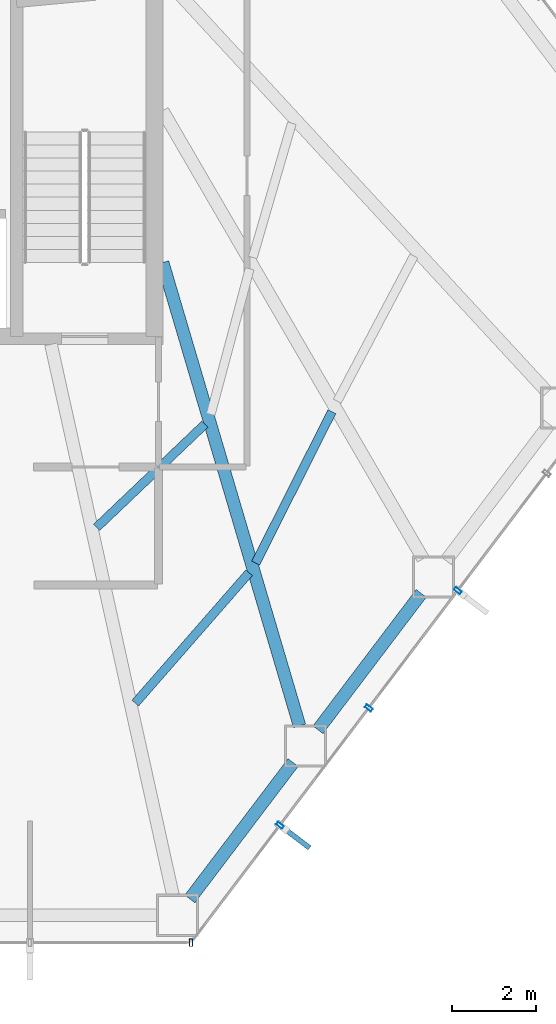
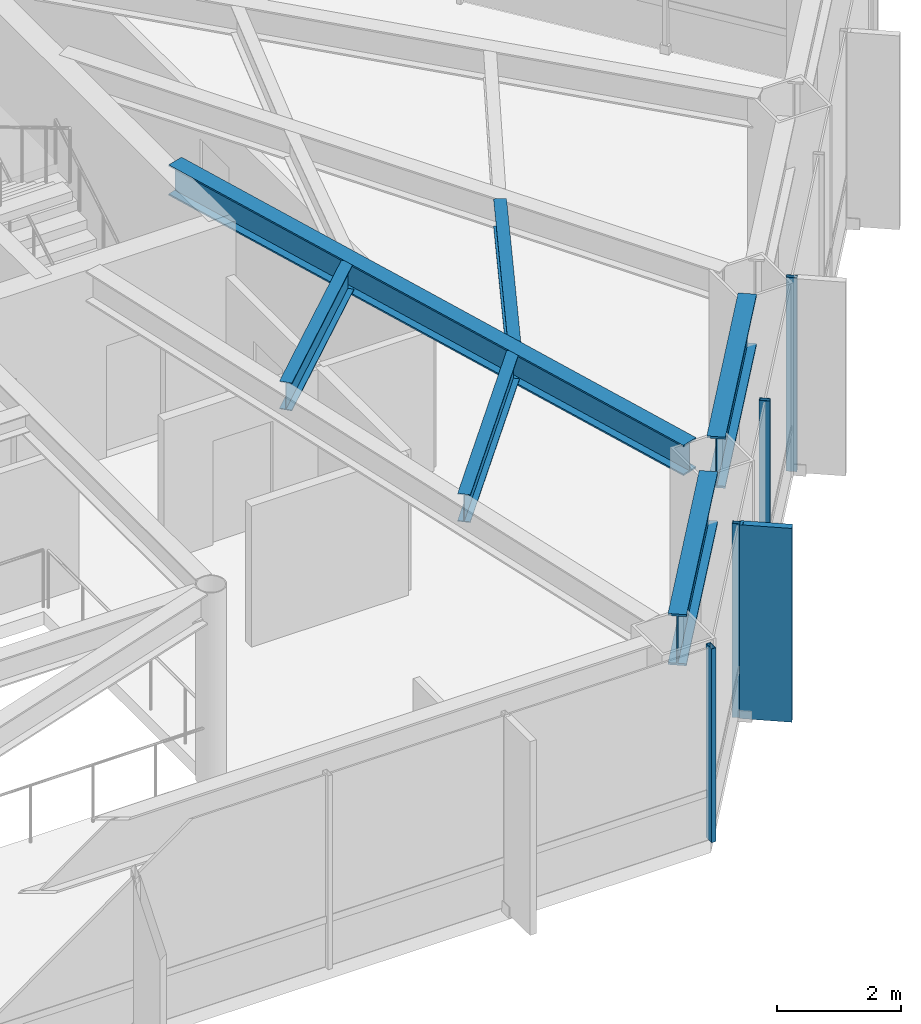
# One storey, part 16 of 25: 6 beams, 5 members, 2 elements without a shape of their own.
"""IFC4 building model written with IfcOpenShell, lengths in metres."""

from ifc_helpers import new_model, si_unit, direction, frame, origin, origin_2d, place, context, subcontext, project, spatial, rectangle, hollow_rectangle, i_section, extrude, material, layer, layer_set, material_profile, profile_set, type_object, element, aggregate, save


model = new_model("IFC4")

# Units and contexts
model_context = context("Model", 3, precision=1e-05, world=origin(), true_north=direction((0.0, 1.0)))
body_context = subcontext(model_context, "Body", "Model", "MODEL_VIEW")
ifc_project = project(units=[si_unit("LENGTHUNIT", "METRE"), si_unit("AREAUNIT", "SQUARE_METRE"), si_unit("VOLUMEUNIT", "CUBIC_METRE"), si_unit("PLANEANGLEUNIT", "RADIAN"), si_unit("MASSUNIT", "GRAM", prefix="KILO")], contexts=[model_context])

# Site, building, storey
site_placement = place(None, origin())
site = spatial("IfcSite", under=ifc_project, at=site_placement, CompositionType="ELEMENT")
building_placement = place(site_placement, origin())
building = spatial("IfcBuilding", under=site, at=building_placement, Name="Zarrinselat Tower", CompositionType="ELEMENT")
storey_placement = place(building_placement, frame((0.0, 0.0, 56.10009765625)))
storey = spatial("IfcBuildingStorey", under=building, at=storey_placement, Name="L13", CompositionType="ELEMENT", Elevation=56.10009765625)

# Beams
ifc_material_1 = material(Name="Steel S355J2", Category="steel")
ifc_material_profile_1 = material_profile(ifc_material_1, i_section(OverallWidth=0.300048828125, OverallDepth=0.60009765625, WebThickness=0.015380859375, FlangeThickness=0.030029296875, at=origin_2d()), Name="HEB 600")
ifc_profile_set_1 = profile_set([ifc_material_profile_1], Name="Steel S355J2")
beam_type_1 = type_object("IfcBeamType", Name="BM-HEB600", PredefinedType="BEAM", material=ifc_profile_set_1)
beam_1_placement = place(storey_placement, frame((48.449951171875, 35.0, 3.52001953125), z_axis=(0.283345695838, -0.959017839589, 0.0), x_axis=(0.959017839589, 0.283345695838, 0.0)))
element("IfcBeam", 1, at=beam_1_placement, inside=storey, type_object=beam_type_1, Name="L13 Radial Primary Girder RG12", PredefinedType="BEAM", context=body_context, shape_type="SweptSolid", body=[
    extrude(i_section(OverallWidth=0.300048828125, OverallDepth=0.60009765625, WebThickness=0.015380859375, FlangeThickness=0.030029296875, at=origin_2d()), origin(), (0.0, 0.0, 1.0), 11.463134765625),
])
ifc_material_2 = material(Name="Steel S460M", Category="steel")
ifc_material_profile_2 = material_profile(ifc_material_2, i_section(OverallWidth=0.302001953125, OverallDepth=1.008056640625, WebThickness=0.02099609375, FlangeThickness=0.0400390625, at=origin_2d()), Name="HEM 1000")
ifc_profile_set_2 = profile_set([ifc_material_profile_2], Name="Steel S460M")
beam_type_2 = type_object("IfcBeamType", Name="BM-HEM1000", PredefinedType="BEAM", material=ifc_profile_set_2)
beam_2_placement = place(storey_placement, frame((49.09423828125, 19.900634765625, 3.31591796875), z_axis=(0.603851898096, 0.797096534409, 0.0), x_axis=(-0.797096534409, 0.603851898096, 0.0)))
element("IfcBeam", 2, at=beam_2_placement, inside=storey, type_object=beam_type_2, Name="L13 Perimeter Spandrel Girder SP11", PredefinedType="BEAM", context=body_context, shape_type="SweptSolid", body=[
    extrude(i_section(OverallWidth=0.302001953125, OverallDepth=1.008056640625, WebThickness=0.02099609375, FlangeThickness=0.0400390625, at=origin_2d()), origin(), (0.0, 0.0, 1.0), 4.059326171875),
])
beam_3_placement = place(storey_placement, frame((52.135009765625, 23.914306640625, 3.31591796875), z_axis=(0.60381368236, 0.797125483845, 0.0), x_axis=(-0.797125483845, 0.60381368236, 0.0)))
element("IfcBeam", 3, at=beam_3_placement, inside=storey, type_object=beam_type_2, Name="L13 Perimeter Spandrel Girder SP12", PredefinedType="BEAM", context=body_context, shape_type="SweptSolid", body=[
    extrude(i_section(OverallWidth=0.302001953125, OverallDepth=1.008056640625, WebThickness=0.02099609375, FlangeThickness=0.0400390625, at=origin_2d()), origin(), (0.0, 0.0, 1.0), 4.05908203125),
])
ifc_material_3 = material(Name="Steel S355J2", Category="steel")
ifc_material_profile_3 = material_profile(ifc_material_3, i_section(OverallWidth=0.2099609375, OverallDepth=0.550048828125, WebThickness=0.010986328125, FlangeThickness=0.01708984375, at=origin_2d()), Name="IPE 550")
ifc_profile_set_3 = profile_set([ifc_material_profile_3], Name="Steel S355J2")
beam_type_3 = type_object("IfcBeamType", Name="BM-IPE550", PredefinedType="JOIST", material=ifc_profile_set_3)
beam_4_placement = place(storey_placement, frame((47.80029296875, 24.547119140625, 3.544921875), z_axis=(0.657965582387, 0.753048001388, 0.0), x_axis=(-0.753048001388, 0.657965582387, 0.0)))
element("IfcBeam", 4, at=beam_4_placement, inside=storey, type_object=beam_type_3, Name="L13 Composite Floor Joist 3-1", PredefinedType="JOIST", context=body_context, shape_type="SweptSolid", body=[
    extrude(i_section(OverallWidth=0.2099609375, OverallDepth=0.550048828125, WebThickness=0.010986328125, FlangeThickness=0.01708984375, at=origin_2d()), origin(), (0.0, 0.0, 1.0), 4.105712890625),
])
beam_5_placement = place(storey_placement, frame((46.88427734375, 28.716796875, 3.544921875), z_axis=(0.723794274198, 0.690015832165, 0.0), x_axis=(-0.690015832165, 0.723794274198, 0.0)))
element("IfcBeam", 5, at=beam_5_placement, inside=storey, type_object=beam_type_3, Name="L13 Composite Floor Joist 3-2", PredefinedType="JOIST", context=body_context, shape_type="SweptSolid", body=[
    extrude(i_section(OverallWidth=0.2099609375, OverallDepth=0.550048828125, WebThickness=0.010986328125, FlangeThickness=0.01708984375, at=origin_2d()), origin(), (0.0, 0.0, 1.0), 3.548828125),
])
beam_6_placement = place(storey_placement, frame((50.656494140625, 27.869384765625, 3.544921875), z_axis=(0.449713289447, 0.893172971655, 0.0), x_axis=(-0.893172971655, 0.449713289447, 0.0)))
element("IfcBeam", 6, at=beam_6_placement, inside=storey, type_object=beam_type_3, Name="L13 Composite Floor Joist 4-1", PredefinedType="JOIST", context=body_context, shape_type="SweptSolid", body=[
    extrude(i_section(OverallWidth=0.2099609375, OverallDepth=0.550048828125, WebThickness=0.010986328125, FlangeThickness=0.01708984375, at=origin_2d()), origin(), (0.0, 0.0, 1.0), 4.02099609375),
])

# Curtain wall, member
ifc_material_4 = material(Name="Extruded Aluminium Alloy EN AW-6063 T6", Category="aluminium")
ifc_layer = layer(ifc_material_4, 0.18505859375)
ifc_layer_set = layer_set([ifc_layer], Name="Extruded Aluminium Alloy EN AW-6063 T6")
curtain_wall_type = type_object("IfcCurtainWallType", Name="CWS-OFF", PredefinedType="NOTDEFINED", material=ifc_layer_set)
curtain_wall_1_placement = place(storey_placement, origin())
curtain_wall_1 = element("IfcCurtainWall", 7, at=curtain_wall_1_placement, inside=storey, type_object=curtain_wall_type, Name="L13 Unitised Curtain Wall CW-L13-E04", PredefinedType="NOTDEFINED")
ifc_material_5 = material(Name="Extruded Aluminium Alloy EN AW-6063 T6", Category="aluminium")
ifc_material_profile_4 = material_profile(ifc_material_5, hollow_rectangle(XDim=0.080078125, YDim=0.179931640625, WallThickness=0.0048828125, at=origin_2d()), Name="RHS 180x80x5")
ifc_profile_set_4 = profile_set([ifc_material_profile_4], Name="Extruded Aluminium Alloy EN AW-6063 T6")
member_type_1 = type_object("IfcMemberType", Name="MEM-CW-MUL", PredefinedType="MULLION", material=ifc_profile_set_4)
member_1_placement = place(storey_placement, frame((49.12255859375, 18.86181640625, 0.0), z_axis=(0.0, 0.0, 1.0), x_axis=(1.0, 0.0, 0.0)))
member_1 = element("IfcMember", 8, at=member_1_placement, type_object=member_type_1, Name="CW-L13-E04 Mullion 6", PredefinedType="MULLION", context=body_context, shape_type="SweptSolid", body=[
    extrude(hollow_rectangle(XDim=0.080078125, YDim=0.179931640625, WallThickness=0.0048828125, at=origin_2d()), origin(), (0.0, 0.0, 1.0), 3.81982421875),
])
aggregate(curtain_wall_1, [member_1])

# Curtain wall, members
curtain_wall_2_placement = place(storey_placement, origin())
curtain_wall_2 = element("IfcCurtainWall", 9, at=curtain_wall_2_placement, inside=storey, type_object=curtain_wall_type, Name="L13 Unitised Curtain Wall CW-L13-E05", PredefinedType="NOTDEFINED")
member_2_placement = place(storey_placement, frame((51.231689453125, 21.645751953125, 0.0), z_axis=(0.0, 0.0, 1.0), x_axis=(0.603860811653, 0.797089781737, 0.0)))
member_2 = element("IfcMember", 10, at=member_2_placement, type_object=member_type_1, Name="CW-L13-E05 Mullion 1", PredefinedType="MULLION", context=body_context, shape_type="SweptSolid", body=[
    extrude(hollow_rectangle(XDim=0.080078125, YDim=0.179931640625, WallThickness=0.0048828125, at=origin_2d()), origin(), (0.0, 0.0, 1.0), 3.81982421875),
])
member_3_placement = place(storey_placement, frame((53.3408203125, 24.4296875, 0.0), z_axis=(0.0, 0.0, 1.0), x_axis=(0.603860811653, 0.797089781737, 0.0)))
member_3 = element("IfcMember", 11, at=member_3_placement, type_object=member_type_1, Name="CW-L13-E05 Mullion 2", PredefinedType="MULLION", context=body_context, shape_type="SweptSolid", body=[
    extrude(hollow_rectangle(XDim=0.080078125, YDim=0.179931640625, WallThickness=0.0048828125, at=origin_2d()), origin(), (0.0, 0.0, 1.0), 3.81982421875),
])
member_4_placement = place(storey_placement, frame((55.449951171875, 27.2138671875, 0.0), z_axis=(0.0, 0.0, 1.0), x_axis=(0.603860811653, 0.797089781737, 0.0)))
member_4 = element("IfcMember", 12, at=member_4_placement, type_object=member_type_1, Name="CW-L13-E05 Mullion 3", PredefinedType="MULLION", context=body_context, shape_type="SweptSolid", body=[
    extrude(hollow_rectangle(XDim=0.080078125, YDim=0.179931640625, WallThickness=0.0048828125, at=origin_2d()), origin(), (0.0, 0.0, 1.0), 3.81982421875),
])
ifc_material_6 = material(Name="Honed Cream Travertine Stone", Category="masonry")
ifc_material_profile_5 = material_profile(ifc_material_6, rectangle(XDim=0.1201171875, YDim=0.85009765625, at=origin_2d()), Name="FIN 850x120")
ifc_profile_set_5 = profile_set([ifc_material_profile_5], Name="Honed Cream Travertine Stone")
member_type_2 = type_object("IfcMemberType", Name="MEM-STONE-FIN", PredefinedType="USERDEFINED", material=ifc_profile_set_5)
member_5_placement = place(storey_placement, frame((51.598388671875, 21.367919921875, 0.0), z_axis=(0.0, 0.0, 1.0), x_axis=(-0.603860811653, -0.797089781737, 0.0)))
member_5 = element("IfcMember", 13, at=member_5_placement, type_object=member_type_2, Name="L13 Stone Shading Fin CW-L13-E05-01", ObjectType="FIN", PredefinedType="USERDEFINED", context=body_context, shape_type="SweptSolid", body=[
    extrude(rectangle(XDim=0.1201171875, YDim=0.85009765625, at=origin_2d()), origin(), (0.0, 0.0, 1.0), 3.81982421875),
])
aggregate(curtain_wall_2, [member_2, member_5, member_3, member_4])

save(model, "model.ifc")
